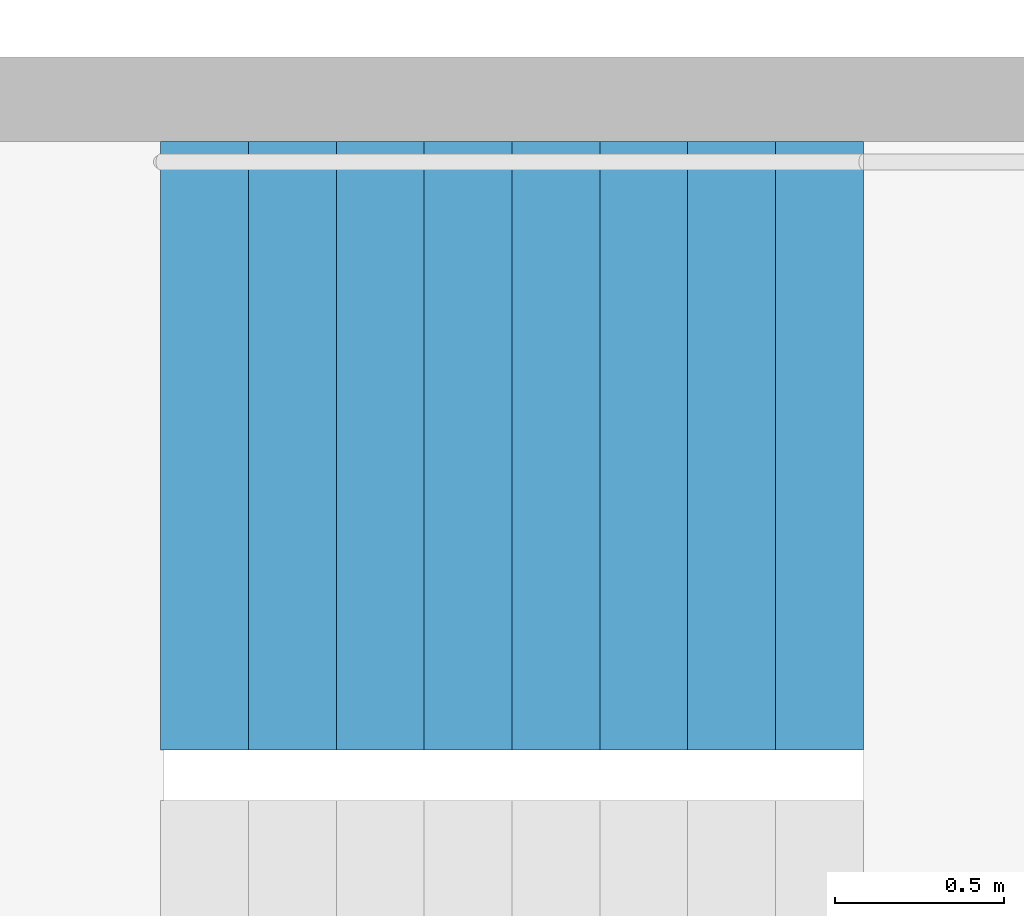
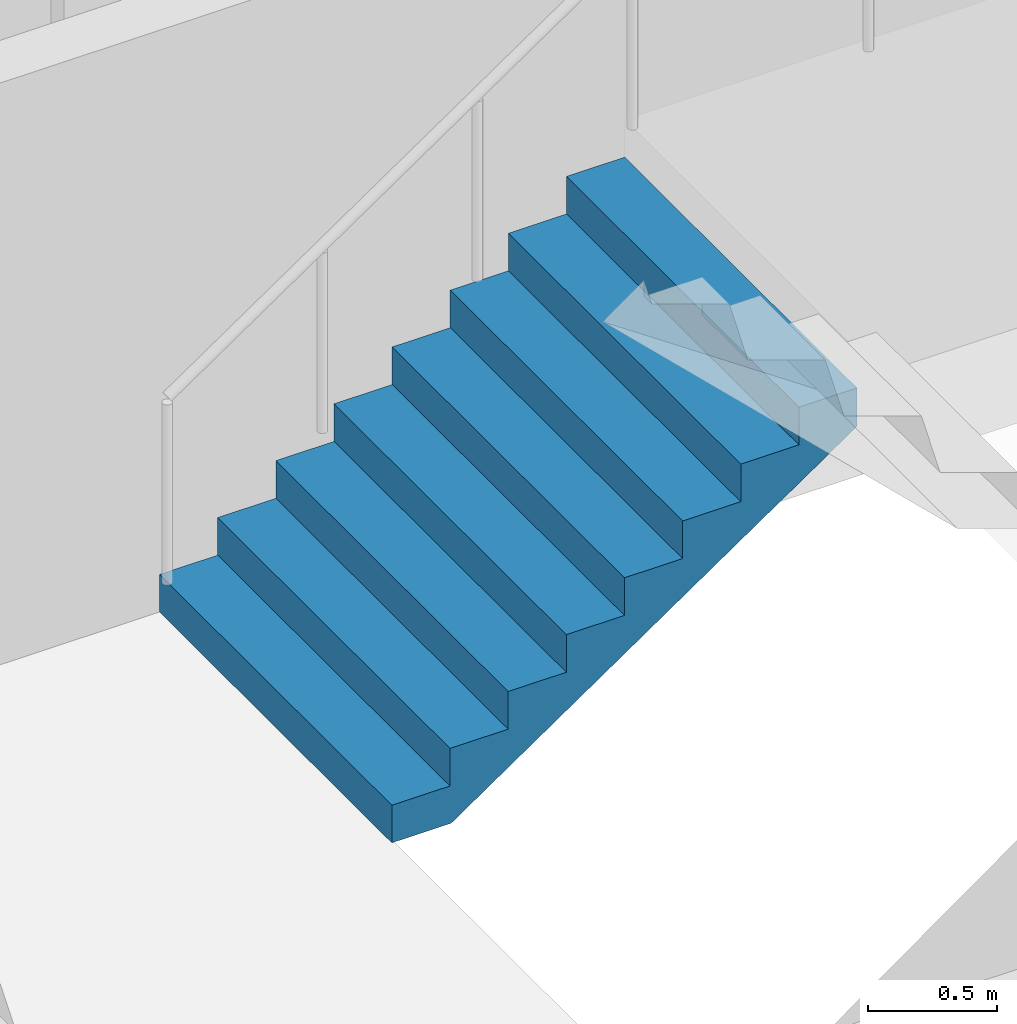
# One storey, part 22 of 25: 1 stair flight, 1 element without a shape of its own.
"""IFC4 building model written with IfcOpenShell, lengths in metres."""

import ifcopenshell
import ifcopenshell.guid

model = None  # the IFC model being written
_history = None  # IfcOwnerHistory: only IFC2X3 demands one
_inside = {}  # id of a spatial element -> (the spatial element, [elements in it])
_under = {}  # id of a project, library or spatial element -> (it, [spatial elements below it])
_declared = {}  # id of a project -> (the project, [libraries it declares])
_typed = {}  # id of a type object -> (the type object, [elements of that type])
_made_of = {}  # id of a material, layer set ... -> (it, [elements and type objects made of it])


def new_model(schema):
    """Start an empty IFC model of exactly this schema.

    Asked for "IFC4X3", IfcOpenShell would pick the latest addendum, in which some entities
    have other attributes; the version numbers below select the first issue.
    IFC2X3 requires an IfcOwnerHistory on every rooted entity: one is made here for all.
    """
    global model, _history
    if schema == "IFC4X3":
        model = ifcopenshell.file(schema_version=(4, 3, 0, 0))
    else:
        model = ifcopenshell.file(schema=schema)
    _inside.clear()
    _under.clear()
    _declared.clear()
    _typed.clear()
    _made_of.clear()
    _history = None
    if model.schema == "IFC2X3":
        org = make("IfcOrganization", Name="unknown")
        user = make(
            "IfcPersonAndOrganization",
            ThePerson=make("IfcPerson", FamilyName="unknown"),
            TheOrganization=org,
        )
        app = make(
            "IfcApplication",
            ApplicationDeveloper=org,
            Version="unknown",
            ApplicationFullName="unknown",
            ApplicationIdentifier="unknown",
        )
        _history = make(
            "IfcOwnerHistory",
            OwningUser=user,
            OwningApplication=app,
            ChangeAction="ADDED",
            CreationDate=0,
        )
    return model


def make(cls, **values):
    """One entity of the class cls with the attributes given. An attribute that is None is left unset."""
    return model.create_entity(
        cls, **{name: value for name, value in values.items() if value is not None}
    )


def rooted(cls, **values):
    """An entity with a GlobalId (a new one), such as an element, a storey or a relation."""
    return make(cls, GlobalId=ifcopenshell.guid.new(), OwnerHistory=_history, **values)


def si_unit(unit_type, name, prefix=None):
    """IfcSIUnit, for example si_unit("LENGTHUNIT", "METRE", prefix="MILLI")."""
    return make("IfcSIUnit", UnitType=unit_type, Prefix=prefix, Name=name)


def assignment(units):
    """IfcUnitAssignment: the units of a project."""
    return None if units is None else make("IfcUnitAssignment", Units=units)


def point(xyz):
    """IfcCartesianPoint."""
    return None if xyz is None else make("IfcCartesianPoint", Coordinates=xyz)


def direction(xyz):
    """IfcDirection."""
    return None if xyz is None else make("IfcDirection", DirectionRatios=xyz)


def frame(location, z_axis=None, x_axis=None):
    """IfcAxis2Placement3D, a coordinate frame: its origin and axes. An axis left out is left unset."""
    return make(
        "IfcAxis2Placement3D",
        Location=point(location),
        Axis=direction(z_axis),
        RefDirection=direction(x_axis),
    )


def origin():
    """The frame at (0, 0, 0) with its axes left unset."""
    return frame((0.0, 0.0, 0.0))


def place(relative_to, where):
    """IfcLocalPlacement: puts the frame where relative to a parent placement (None: the world)."""
    return make(
        "IfcLocalPlacement", PlacementRelTo=relative_to, RelativePlacement=where
    )


def context(
    kind, dimensions, precision=None, world=None, true_north=None, identifier=None
):
    """IfcGeometricRepresentationContext, for example the 3D "Model" context."""
    return make(
        "IfcGeometricRepresentationContext",
        ContextIdentifier=identifier,
        ContextType=kind,
        CoordinateSpaceDimension=dimensions,
        Precision=precision,
        WorldCoordinateSystem=world,
        TrueNorth=true_north,
    )


def subcontext(parent, identifier, kind, view, scale=None):
    """IfcGeometricRepresentationSubContext, for example "Body" below "Model"."""
    return make(
        "IfcGeometricRepresentationSubContext",
        ContextIdentifier=identifier,
        ContextType=kind,
        ParentContext=parent,
        TargetScale=scale,
        TargetView=view,
    )


def project(units=None, contexts=None):
    """IfcProject with its units and contexts."""
    return rooted(
        "IfcProject",
        Name="project",
        RepresentationContexts=contexts,
        UnitsInContext=assignment(units),
    )


def spatial(cls, under=None, at=None, **own):
    """A site, building, storey or space (cls), placed at a placement, below another one or the project."""
    s = rooted(cls, ObjectPlacement=at, **own)
    if under is not None:
        _under.setdefault(under.id(), (under, []))[1].append(s)
    return s


def point_list(points):
    """IfcCartesianPointList2D or 3D."""
    cls = (
        "IfcCartesianPointList2D" if len(points[0]) == 2 else "IfcCartesianPointList3D"
    )
    return make(cls, CoordList=points)


def triangles(points, corners, closed=None, point_numbers=None):
    """IfcTriangulatedFaceSet: each triangle names its three corners, points numbered from 1."""
    return make(
        "IfcTriangulatedFaceSet",
        Coordinates=point_list(points),
        Closed=closed,
        CoordIndex=corners,
        PnIndex=point_numbers,
    )


def shape(context_of_items, identifier, shape_type, items):
    """IfcShapeRepresentation: the items that make up one representation, for example the "Body"."""
    return make(
        "IfcShapeRepresentation",
        ContextOfItems=context_of_items,
        RepresentationIdentifier=identifier,
        RepresentationType=shape_type,
        Items=items,
    )


def material(Name=None, Category=None):
    """IfcMaterial."""
    return make("IfcMaterial", Name=Name, Category=Category)


def made_of(thing, what):
    """Note that an element or type object is made of a material, layer set ...; save() writes the relation."""
    if what is not None:
        _made_of.setdefault(what.id(), (what, []))[1].append(thing)
    return thing


def type_object(cls, material=None, **own):
    """A type object (cls), such as IfcWallType, which elements share."""
    return made_of(rooted(cls, **own), material)


def element(
    cls,
    number,
    at=None,
    inside=None,
    cuts=None,
    type_object=None,
    material=None,
    context=None,
    identifier="Body",
    shape_type=None,
    held_by="IfcProductDefinitionShape",
    body=None,
    shapes=None,
    **own,
):
    """One element of the class cls, such as IfcWall. Its Tag is "e" and its number.

    at: its placement. inside: the storey or other place that contains it. cuts: it is an
    opening in that element (IfcRelVoidsElement). A single representation is given by context,
    identifier, shape_type and body (its items); several are given by shapes. held_by: the class
    of the entity that holds the representations. save() writes the other relations.
    """
    e = rooted(cls, Tag="e%d" % number, ObjectPlacement=at, **own)
    if body is not None:
        shapes = [shape(context, identifier, shape_type, body)]
    if shapes is not None:
        e.Representation = make(held_by, Representations=shapes)
    if inside is not None:
        _inside.setdefault(inside.id(), (inside, []))[1].append(e)
    if cuts is not None:
        rooted(
            "IfcRelVoidsElement", RelatingBuildingElement=cuts, RelatedOpeningElement=e
        )
    if type_object is not None:
        _typed.setdefault(type_object.id(), (type_object, []))[1].append(e)
    return made_of(e, material)


def aggregate(whole, parts):
    """IfcRelAggregates: a whole, such as a stair, and the parts it consists of."""
    return rooted("IfcRelAggregates", RelatingObject=whole, RelatedObjects=parts)


def save(model, path):
    """Write the relations noted so far, then the file.

    IfcRelAggregates (storeys below a building ...), IfcRelContainedInSpatialStructure (elements
    in a storey), IfcRelDefinesByType, IfcRelAssociatesMaterial and IfcRelDeclares: one each for
    every whole, place, type object, material and project.
    """
    for whole, parts in _under.values():
        aggregate(whole, parts)
    for where, things in _inside.values():
        rooted(
            "IfcRelContainedInSpatialStructure",
            RelatedElements=things,
            RelatingStructure=where,
        )
    for kind, things in _typed.values():
        rooted("IfcRelDefinesByType", RelatedObjects=things, RelatingType=kind)
    for what, things in _made_of.values():
        rooted("IfcRelAssociatesMaterial", RelatedObjects=things, RelatingMaterial=what)
    for by, libraries in _declared.values():
        rooted("IfcRelDeclares", RelatingContext=by, RelatedDefinitions=libraries)
    model.write(path)


model = new_model("IFC4")

# Units and contexts
model_context = context("Model", 3, precision=1e-05, world=origin(), true_north=direction((0.0, 1.0)))
body_context = subcontext(model_context, "Body", "Model", "MODEL_VIEW")
ifc_project = project(units=[si_unit("LENGTHUNIT", "METRE"), si_unit("AREAUNIT", "SQUARE_METRE"), si_unit("VOLUMEUNIT", "CUBIC_METRE"), si_unit("PLANEANGLEUNIT", "RADIAN"), si_unit("MASSUNIT", "GRAM", prefix="KILO")], contexts=[model_context])

# Site, building, storey
site_placement = place(None, origin())
site = spatial("IfcSite", under=ifc_project, at=site_placement, CompositionType="ELEMENT")
building_placement = place(site_placement, origin())
building = spatial("IfcBuilding", under=site, at=building_placement, Name="Hakoniwa Tower and Hamabe Station Hall", CompositionType="ELEMENT")
storey_placement = place(building_placement, frame((0.0, 0.0, 186.60009765625)))
storey = spatial("IfcBuildingStorey", under=building, at=storey_placement, Name="L52", CompositionType="ELEMENT", Elevation=186.60009765625)

# Stair, stair flight
ifc_material_1 = material(Name="Concrete C40", Category="concrete")
stair_type = type_object("IfcStairType", Name="ESCAPE STAIR 1800", PredefinedType="HALF_TURN_STAIR", material=ifc_material_1)
stair_placement = place(storey_placement, origin())
stair = element("IfcStair", 1, at=stair_placement, inside=storey, type_object=stair_type, Name="Escape stair ST-4 L52", PredefinedType="HALF_TURN_STAIR")
ifc_material_2 = material(Name="Concrete C40", Category="concrete")
stair_flight_type = type_object("IfcStairFlightType", Name="STAIR FLIGHT 1800", PredefinedType="STRAIGHT", material=ifc_material_2)
stair_flight_placement = place(storey_placement, frame((23.39990234375, -4.64990234375, 0.0), z_axis=(0.0, 0.0, 1.0), x_axis=(1.0, 0.0, 0.0)))
stair_flight = element("IfcStairFlight", 2, at=stair_flight_placement, type_object=stair_flight_type, Name="ST-4 flight 1", NumberOfRisers=9, NumberOfTreads=8, PredefinedType="STRAIGHT", RiserHeight=0.177777778, TreadLength=0.26, context=body_context, shape_type="Tessellation", body=[
    triangles([(0.0, 0.89990234375, 0.0), (0.260009765625, 0.89990234375, 0.0), (0.265625, 0.89990234375, 0.0), (0.52001953125, 0.89990234375, 0.174072265625), (0.780029296875, 0.89990234375, 0.351806640625), (1.0400390625, 0.89990234375, 0.529541015625), (1.300048828125, 0.89990234375, 0.707275390625), (1.56005859375, 0.89990234375, 0.885009765625), (1.820068359375, 0.89990234375, 1.062744140625), (2.080078125, 0.89990234375, 1.24072265625), (2.080078125, 0.89990234375, 1.422119140625), (1.820068359375, 0.89990234375, 1.422119140625), (1.820068359375, 0.89990234375, 1.244384765625), (1.56005859375, 0.89990234375, 1.244384765625), (1.56005859375, 0.89990234375, 1.066650390625), (1.300048828125, 0.89990234375, 1.066650390625), (1.300048828125, 0.89990234375, 0.888916015625), (1.0400390625, 0.89990234375, 0.888916015625), (1.0400390625, 0.89990234375, 0.711181640625), (0.780029296875, 0.89990234375, 0.711181640625), (0.780029296875, 0.89990234375, 0.533447265625), (0.52001953125, 0.89990234375, 0.533447265625), (0.52001953125, 0.89990234375, 0.35546875), (0.265625, 0.89990234375, 0.35546875), (0.260009765625, 0.89990234375, 0.35546875), (0.260009765625, 0.89990234375, 0.177734375), (0.0, 0.89990234375, 0.177734375), (0.0, 0.06005859375, 0.0), (0.260009765625, 0.06005859375, 0.0), (0.265625, 0.06005859375, 0.0), (0.52001953125, 0.06005859375, 0.174072265625), (0.780029296875, 0.06005859375, 0.351806640625), (1.0400390625, 0.06005859375, 0.529541015625), (1.300048828125, 0.06005859375, 0.707275390625), (1.56005859375, 0.06005859375, 0.885009765625), (1.820068359375, 0.06005859375, 1.062744140625), (2.080078125, 0.06005859375, 1.24072265625), (2.080078125, 0.06005859375, 1.422119140625), (1.820068359375, 0.06005859375, 1.422119140625), (1.820068359375, 0.06005859375, 1.244384765625), (1.56005859375, 0.06005859375, 1.244384765625), (1.56005859375, 0.06005859375, 1.066650390625), (1.300048828125, 0.06005859375, 1.066650390625), (1.300048828125, 0.06005859375, 0.888916015625), (1.0400390625, 0.06005859375, 0.888916015625), (1.0400390625, 0.06005859375, 0.711181640625), (0.780029296875, 0.06005859375, 0.711181640625), (0.780029296875, 0.06005859375, 0.533447265625), (0.52001953125, 0.06005859375, 0.533447265625), (0.52001953125, 0.06005859375, 0.35546875), (0.265625, 0.06005859375, 0.35546875), (0.260009765625, 0.06005859375, 0.35546875), (0.260009765625, 0.06005859375, 0.177734375), (0.0, 0.06005859375, 0.177734375), (0.0, 0.04296875, 0.0), (0.260009765625, 0.04296875, 0.0), (0.265625, 0.04296875, 0.0), (0.52001953125, 0.04296875, 0.174072265625), (0.780029296875, 0.04296875, 0.351806640625), (1.0400390625, 0.04296875, 0.529541015625), (1.300048828125, 0.04296875, 0.707275390625), (1.56005859375, 0.04296875, 0.885009765625), (1.820068359375, 0.04296875, 1.062744140625), (2.080078125, 0.04296875, 1.24072265625), (2.080078125, 0.04296875, 1.422119140625), (1.820068359375, 0.04296875, 1.422119140625), (1.820068359375, 0.04296875, 1.244384765625), (1.56005859375, 0.04296875, 1.244384765625), (1.56005859375, 0.04296875, 1.066650390625), (1.300048828125, 0.04296875, 1.066650390625), (1.300048828125, 0.04296875, 0.888916015625), (1.0400390625, 0.04296875, 0.888916015625), (1.0400390625, 0.04296875, 0.711181640625), (0.780029296875, 0.04296875, 0.711181640625), (0.780029296875, 0.04296875, 0.533447265625), (0.52001953125, 0.04296875, 0.533447265625), (0.52001953125, 0.04296875, 0.35546875), (0.265625, 0.04296875, 0.35546875), (0.260009765625, 0.04296875, 0.35546875), (0.260009765625, 0.04296875, 0.177734375), (0.0, 0.04296875, 0.177734375), (0.0, 0.025634765625, 0.0), (0.260009765625, 0.025634765625, 0.0), (0.265625, 0.025634765625, 0.0), (0.52001953125, 0.025634765625, 0.174072265625), (0.780029296875, 0.025634765625, 0.351806640625), (1.0400390625, 0.025634765625, 0.529541015625), (1.300048828125, 0.025634765625, 0.707275390625), (1.56005859375, 0.025634765625, 0.885009765625), (1.820068359375, 0.025634765625, 1.062744140625), (2.080078125, 0.025634765625, 1.24072265625), (2.080078125, 0.025634765625, 1.422119140625), (1.820068359375, 0.025634765625, 1.422119140625), (1.820068359375, 0.025634765625, 1.244384765625), (1.56005859375, 0.025634765625, 1.244384765625), (1.56005859375, 0.025634765625, 1.066650390625), (1.300048828125, 0.025634765625, 1.066650390625), (1.300048828125, 0.025634765625, 0.888916015625), (1.0400390625, 0.025634765625, 0.888916015625), (1.0400390625, 0.025634765625, 0.711181640625), (0.780029296875, 0.025634765625, 0.711181640625), (0.780029296875, 0.025634765625, 0.533447265625), (0.52001953125, 0.025634765625, 0.533447265625), (0.52001953125, 0.025634765625, 0.35546875), (0.265625, 0.025634765625, 0.35546875), (0.260009765625, 0.025634765625, 0.35546875), (0.260009765625, 0.025634765625, 0.177734375), (0.0, 0.025634765625, 0.177734375), (0.0, 0.008544921875, 0.0), (0.260009765625, 0.008544921875, 0.0), (0.265625, 0.008544921875, 0.0), (0.52001953125, 0.008544921875, 0.174072265625), (0.780029296875, 0.008544921875, 0.351806640625), (1.0400390625, 0.008544921875, 0.529541015625), (1.300048828125, 0.008544921875, 0.707275390625), (1.56005859375, 0.008544921875, 0.885009765625), (1.820068359375, 0.008544921875, 1.062744140625), (2.080078125, 0.008544921875, 1.24072265625), (2.080078125, 0.008544921875, 1.422119140625), (1.820068359375, 0.008544921875, 1.422119140625), (1.820068359375, 0.008544921875, 1.244384765625), (1.56005859375, 0.008544921875, 1.244384765625), (1.56005859375, 0.008544921875, 1.066650390625), (1.300048828125, 0.008544921875, 1.066650390625), (1.300048828125, 0.008544921875, 0.888916015625), (1.0400390625, 0.008544921875, 0.888916015625), (1.0400390625, 0.008544921875, 0.711181640625), (0.780029296875, 0.008544921875, 0.711181640625), (0.780029296875, 0.008544921875, 0.533447265625), (0.52001953125, 0.008544921875, 0.533447265625), (0.52001953125, 0.008544921875, 0.35546875), (0.265625, 0.008544921875, 0.35546875), (0.260009765625, 0.008544921875, 0.35546875), (0.260009765625, 0.008544921875, 0.177734375), (0.0, 0.008544921875, 0.177734375), (0.0, -0.008544921875, 0.0), (0.260009765625, -0.008544921875, 0.0), (0.265625, -0.008544921875, 0.0), (0.52001953125, -0.008544921875, 0.174072265625), (0.780029296875, -0.008544921875, 0.351806640625), (1.0400390625, -0.008544921875, 0.529541015625), (1.300048828125, -0.008544921875, 0.707275390625), (1.56005859375, -0.008544921875, 0.885009765625), (1.820068359375, -0.008544921875, 1.062744140625), (2.080078125, -0.008544921875, 1.24072265625), (2.080078125, -0.008544921875, 1.422119140625), (1.820068359375, -0.008544921875, 1.422119140625), (1.820068359375, -0.008544921875, 1.244384765625), (1.56005859375, -0.008544921875, 1.244384765625), (1.56005859375, -0.008544921875, 1.066650390625), (1.300048828125, -0.008544921875, 1.066650390625), (1.300048828125, -0.008544921875, 0.888916015625), (1.0400390625, -0.008544921875, 0.888916015625), (1.0400390625, -0.008544921875, 0.711181640625), (0.780029296875, -0.008544921875, 0.711181640625), (0.780029296875, -0.008544921875, 0.533447265625), (0.52001953125, -0.008544921875, 0.533447265625), (0.52001953125, -0.008544921875, 0.35546875), (0.265625, -0.008544921875, 0.35546875), (0.260009765625, -0.008544921875, 0.35546875), (0.260009765625, -0.008544921875, 0.177734375), (0.0, -0.008544921875, 0.177734375), (0.0, -0.025634765625, 0.0), (0.260009765625, -0.025634765625, 0.0), (0.265625, -0.025634765625, 0.0), (0.52001953125, -0.025634765625, 0.174072265625), (0.780029296875, -0.025634765625, 0.351806640625), (1.0400390625, -0.025634765625, 0.529541015625), (1.300048828125, -0.025634765625, 0.707275390625), (1.56005859375, -0.025634765625, 0.885009765625), (1.820068359375, -0.025634765625, 1.062744140625), (2.080078125, -0.025634765625, 1.24072265625), (2.080078125, -0.025634765625, 1.422119140625), (1.820068359375, -0.025634765625, 1.422119140625), (1.820068359375, -0.025634765625, 1.244384765625), (1.56005859375, -0.025634765625, 1.244384765625), (1.56005859375, -0.025634765625, 1.066650390625), (1.300048828125, -0.025634765625, 1.066650390625), (1.300048828125, -0.025634765625, 0.888916015625), (1.0400390625, -0.025634765625, 0.888916015625), (1.0400390625, -0.025634765625, 0.711181640625), (0.780029296875, -0.025634765625, 0.711181640625), (0.780029296875, -0.025634765625, 0.533447265625), (0.52001953125, -0.025634765625, 0.533447265625), (0.52001953125, -0.025634765625, 0.35546875), (0.265625, -0.025634765625, 0.35546875), (0.260009765625, -0.025634765625, 0.35546875), (0.260009765625, -0.025634765625, 0.177734375), (0.0, -0.025634765625, 0.177734375), (0.0, -0.04296875, 0.0), (0.260009765625, -0.04296875, 0.0), (0.265625, -0.04296875, 0.0), (0.52001953125, -0.04296875, 0.174072265625), (0.780029296875, -0.04296875, 0.351806640625), (1.0400390625, -0.04296875, 0.529541015625), (1.300048828125, -0.04296875, 0.707275390625), (1.56005859375, -0.04296875, 0.885009765625), (1.820068359375, -0.04296875, 1.062744140625), (2.080078125, -0.04296875, 1.24072265625), (2.080078125, -0.04296875, 1.422119140625), (1.820068359375, -0.04296875, 1.422119140625), (1.820068359375, -0.04296875, 1.244384765625), (1.56005859375, -0.04296875, 1.244384765625), (1.56005859375, -0.04296875, 1.066650390625), (1.300048828125, -0.04296875, 1.066650390625), (1.300048828125, -0.04296875, 0.888916015625), (1.0400390625, -0.04296875, 0.888916015625), (1.0400390625, -0.04296875, 0.711181640625), (0.780029296875, -0.04296875, 0.711181640625), (0.780029296875, -0.04296875, 0.533447265625), (0.52001953125, -0.04296875, 0.533447265625), (0.52001953125, -0.04296875, 0.35546875), (0.265625, -0.04296875, 0.35546875), (0.260009765625, -0.04296875, 0.35546875), (0.260009765625, -0.04296875, 0.177734375), (0.0, -0.04296875, 0.177734375), (0.0, -0.06005859375, 0.0), (0.260009765625, -0.06005859375, 0.0), (0.265625, -0.06005859375, 0.0), (0.52001953125, -0.06005859375, 0.174072265625), (0.780029296875, -0.06005859375, 0.351806640625), (1.0400390625, -0.06005859375, 0.529541015625), (1.300048828125, -0.06005859375, 0.707275390625), (1.56005859375, -0.06005859375, 0.885009765625), (1.820068359375, -0.06005859375, 1.062744140625), (2.080078125, -0.06005859375, 1.24072265625), (2.080078125, -0.06005859375, 1.422119140625), (1.820068359375, -0.06005859375, 1.422119140625), (1.820068359375, -0.06005859375, 1.244384765625), (1.56005859375, -0.06005859375, 1.244384765625), (1.56005859375, -0.06005859375, 1.066650390625), (1.300048828125, -0.06005859375, 1.066650390625), (1.300048828125, -0.06005859375, 0.888916015625), (1.0400390625, -0.06005859375, 0.888916015625), (1.0400390625, -0.06005859375, 0.711181640625), (0.780029296875, -0.06005859375, 0.711181640625), (0.780029296875, -0.06005859375, 0.533447265625), (0.52001953125, -0.06005859375, 0.533447265625), (0.52001953125, -0.06005859375, 0.35546875), (0.265625, -0.06005859375, 0.35546875), (0.260009765625, -0.06005859375, 0.35546875), (0.260009765625, -0.06005859375, 0.177734375), (0.0, -0.06005859375, 0.177734375), (0.0, -0.89990234375, 0.0), (0.260009765625, -0.89990234375, 0.0), (0.265625, -0.89990234375, 0.0), (0.52001953125, -0.89990234375, 0.174072265625), (0.780029296875, -0.89990234375, 0.351806640625), (1.0400390625, -0.89990234375, 0.529541015625), (1.300048828125, -0.89990234375, 0.707275390625), (1.56005859375, -0.89990234375, 0.885009765625), (1.820068359375, -0.89990234375, 1.062744140625), (2.080078125, -0.89990234375, 1.24072265625), (2.080078125, -0.89990234375, 1.422119140625), (1.820068359375, -0.89990234375, 1.422119140625), (1.820068359375, -0.89990234375, 1.244384765625), (1.56005859375, -0.89990234375, 1.244384765625), (1.56005859375, -0.89990234375, 1.066650390625), (1.300048828125, -0.89990234375, 1.066650390625), (1.300048828125, -0.89990234375, 0.888916015625), (1.0400390625, -0.89990234375, 0.888916015625), (1.0400390625, -0.89990234375, 0.711181640625), (0.780029296875, -0.89990234375, 0.711181640625), (0.780029296875, -0.89990234375, 0.533447265625), (0.52001953125, -0.89990234375, 0.533447265625), (0.52001953125, -0.89990234375, 0.35546875), (0.265625, -0.89990234375, 0.35546875), (0.260009765625, -0.89990234375, 0.35546875), (0.260009765625, -0.89990234375, 0.177734375), (0.0, -0.89990234375, 0.177734375)], [[2, 27, 26], [245, 269, 270], [2, 1, 27], [245, 270, 244], [3, 25, 24], [246, 267, 268], [3, 26, 25], [246, 268, 269], [3, 2, 26], [246, 269, 245], [4, 24, 23], [247, 266, 267], [4, 3, 24], [247, 267, 246], [5, 22, 21], [248, 264, 265], [5, 23, 22], [248, 265, 266], [5, 4, 23], [248, 266, 247], [6, 20, 19], [249, 262, 263], [6, 21, 20], [249, 263, 264], [6, 5, 21], [249, 264, 248], [7, 18, 17], [250, 260, 261], [7, 19, 18], [250, 261, 262], [7, 6, 19], [250, 262, 249], [8, 16, 15], [251, 258, 259], [8, 17, 16], [251, 259, 260], [8, 7, 17], [251, 260, 250], [9, 14, 13], [252, 256, 257], [9, 15, 14], [252, 257, 258], [9, 8, 15], [252, 258, 251], [10, 12, 11], [253, 254, 255], [10, 13, 12], [253, 255, 256], [10, 9, 13], [253, 256, 252], [1, 2, 29], [1, 29, 28], [28, 29, 56], [28, 56, 55], [55, 56, 83], [55, 83, 82], [82, 83, 110], [82, 110, 109], [109, 110, 137], [109, 137, 136], [136, 137, 164], [136, 164, 163], [163, 164, 191], [163, 191, 190], [190, 191, 218], [190, 218, 217], [217, 218, 245], [217, 245, 244], [2, 3, 30], [2, 30, 29], [29, 30, 57], [29, 57, 56], [56, 57, 84], [56, 84, 83], [83, 84, 111], [83, 111, 110], [110, 111, 138], [110, 138, 137], [137, 138, 165], [137, 165, 164], [164, 165, 192], [164, 192, 191], [191, 192, 219], [191, 219, 218], [218, 219, 246], [218, 246, 245], [3, 4, 31], [3, 31, 30], [30, 31, 58], [30, 58, 57], [57, 58, 85], [57, 85, 84], [84, 85, 112], [84, 112, 111], [111, 112, 139], [111, 139, 138], [138, 139, 166], [138, 166, 165], [165, 166, 193], [165, 193, 192], [192, 193, 220], [192, 220, 219], [219, 220, 247], [219, 247, 246], [4, 5, 32], [4, 32, 31], [31, 32, 59], [31, 59, 58], [58, 59, 86], [58, 86, 85], [85, 86, 113], [85, 113, 112], [112, 113, 140], [112, 140, 139], [139, 140, 167], [139, 167, 166], [166, 167, 194], [166, 194, 193], [193, 194, 221], [193, 221, 220], [220, 221, 248], [220, 248, 247], [5, 6, 33], [5, 33, 32], [32, 33, 60], [32, 60, 59], [59, 60, 87], [59, 87, 86], [86, 87, 114], [86, 114, 113], [113, 114, 141], [113, 141, 140], [140, 141, 168], [140, 168, 167], [167, 168, 195], [167, 195, 194], [194, 195, 222], [194, 222, 221], [221, 222, 249], [221, 249, 248], [6, 7, 34], [6, 34, 33], [33, 34, 61], [33, 61, 60], [60, 61, 88], [60, 88, 87], [87, 88, 115], [87, 115, 114], [114, 115, 142], [114, 142, 141], [141, 142, 169], [141, 169, 168], [168, 169, 196], [168, 196, 195], [195, 196, 223], [195, 223, 222], [222, 223, 250], [222, 250, 249], [7, 8, 35], [7, 35, 34], [34, 35, 62], [34, 62, 61], [61, 62, 89], [61, 89, 88], [88, 89, 116], [88, 116, 115], [115, 116, 143], [115, 143, 142], [142, 143, 170], [142, 170, 169], [169, 170, 197], [169, 197, 196], [196, 197, 224], [196, 224, 223], [223, 224, 251], [223, 251, 250], [8, 9, 36], [8, 36, 35], [35, 36, 63], [35, 63, 62], [62, 63, 90], [62, 90, 89], [89, 90, 117], [89, 117, 116], [116, 117, 144], [116, 144, 143], [143, 144, 171], [143, 171, 170], [170, 171, 198], [170, 198, 197], [197, 198, 225], [197, 225, 224], [224, 225, 252], [224, 252, 251], [9, 10, 37], [9, 37, 36], [36, 37, 64], [36, 64, 63], [63, 64, 91], [63, 91, 90], [90, 91, 118], [90, 118, 117], [117, 118, 145], [117, 145, 144], [144, 145, 172], [144, 172, 171], [171, 172, 199], [171, 199, 198], [198, 199, 226], [198, 226, 225], [225, 226, 253], [225, 253, 252], [10, 11, 38], [10, 38, 37], [37, 38, 65], [37, 65, 64], [64, 65, 92], [64, 92, 91], [91, 92, 119], [91, 119, 118], [118, 119, 146], [118, 146, 145], [145, 146, 173], [145, 173, 172], [172, 173, 200], [172, 200, 199], [199, 200, 227], [199, 227, 226], [226, 227, 254], [226, 254, 253], [11, 12, 39], [11, 39, 38], [38, 39, 66], [38, 66, 65], [65, 66, 93], [65, 93, 92], [92, 93, 120], [92, 120, 119], [119, 120, 147], [119, 147, 146], [146, 147, 174], [146, 174, 173], [173, 174, 201], [173, 201, 200], [200, 201, 228], [200, 228, 227], [227, 228, 255], [227, 255, 254], [12, 13, 40], [12, 40, 39], [39, 40, 67], [39, 67, 66], [66, 67, 94], [66, 94, 93], [93, 94, 121], [93, 121, 120], [120, 121, 148], [120, 148, 147], [147, 148, 175], [147, 175, 174], [174, 175, 202], [174, 202, 201], [201, 202, 229], [201, 229, 228], [228, 229, 256], [228, 256, 255], [13, 14, 41], [13, 41, 40], [40, 41, 68], [40, 68, 67], [67, 68, 95], [67, 95, 94], [94, 95, 122], [94, 122, 121], [121, 122, 149], [121, 149, 148], [148, 149, 176], [148, 176, 175], [175, 176, 203], [175, 203, 202], [202, 203, 230], [202, 230, 229], [229, 230, 257], [229, 257, 256], [14, 15, 42], [14, 42, 41], [41, 42, 69], [41, 69, 68], [68, 69, 96], [68, 96, 95], [95, 96, 123], [95, 123, 122], [122, 123, 150], [122, 150, 149], [149, 150, 177], [149, 177, 176], [176, 177, 204], [176, 204, 203], [203, 204, 231], [203, 231, 230], [230, 231, 258], [230, 258, 257], [15, 16, 43], [15, 43, 42], [42, 43, 70], [42, 70, 69], [69, 70, 97], [69, 97, 96], [96, 97, 124], [96, 124, 123], [123, 124, 151], [123, 151, 150], [150, 151, 178], [150, 178, 177], [177, 178, 205], [177, 205, 204], [204, 205, 232], [204, 232, 231], [231, 232, 259], [231, 259, 258], [16, 17, 44], [16, 44, 43], [43, 44, 71], [43, 71, 70], [70, 71, 98], [70, 98, 97], [97, 98, 125], [97, 125, 124], [124, 125, 152], [124, 152, 151], [151, 152, 179], [151, 179, 178], [178, 179, 206], [178, 206, 205], [205, 206, 233], [205, 233, 232], [232, 233, 260], [232, 260, 259], [17, 18, 45], [17, 45, 44], [44, 45, 72], [44, 72, 71], [71, 72, 99], [71, 99, 98], [98, 99, 126], [98, 126, 125], [125, 126, 153], [125, 153, 152], [152, 153, 180], [152, 180, 179], [179, 180, 207], [179, 207, 206], [206, 207, 234], [206, 234, 233], [233, 234, 261], [233, 261, 260], [18, 19, 46], [18, 46, 45], [45, 46, 73], [45, 73, 72], [72, 73, 100], [72, 100, 99], [99, 100, 127], [99, 127, 126], [126, 127, 154], [126, 154, 153], [153, 154, 181], [153, 181, 180], [180, 181, 208], [180, 208, 207], [207, 208, 235], [207, 235, 234], [234, 235, 262], [234, 262, 261], [19, 20, 47], [19, 47, 46], [46, 47, 74], [46, 74, 73], [73, 74, 101], [73, 101, 100], [100, 101, 128], [100, 128, 127], [127, 128, 155], [127, 155, 154], [154, 155, 182], [154, 182, 181], [181, 182, 209], [181, 209, 208], [208, 209, 236], [208, 236, 235], [235, 236, 263], [235, 263, 262], [20, 21, 48], [20, 48, 47], [47, 48, 75], [47, 75, 74], [74, 75, 102], [74, 102, 101], [101, 102, 129], [101, 129, 128], [128, 129, 156], [128, 156, 155], [155, 156, 183], [155, 183, 182], [182, 183, 210], [182, 210, 209], [209, 210, 237], [209, 237, 236], [236, 237, 264], [236, 264, 263], [21, 22, 49], [21, 49, 48], [48, 49, 76], [48, 76, 75], [75, 76, 103], [75, 103, 102], [102, 103, 130], [102, 130, 129], [129, 130, 157], [129, 157, 156], [156, 157, 184], [156, 184, 183], [183, 184, 211], [183, 211, 210], [210, 211, 238], [210, 238, 237], [237, 238, 265], [237, 265, 264], [22, 23, 50], [22, 50, 49], [49, 50, 77], [49, 77, 76], [76, 77, 104], [76, 104, 103], [103, 104, 131], [103, 131, 130], [130, 131, 158], [130, 158, 157], [157, 158, 185], [157, 185, 184], [184, 185, 212], [184, 212, 211], [211, 212, 239], [211, 239, 238], [238, 239, 266], [238, 266, 265], [23, 24, 51], [23, 51, 50], [50, 51, 78], [50, 78, 77], [77, 78, 105], [77, 105, 104], [104, 105, 132], [104, 132, 131], [131, 132, 159], [131, 159, 158], [158, 159, 186], [158, 186, 185], [185, 186, 213], [185, 213, 212], [212, 213, 240], [212, 240, 239], [239, 240, 267], [239, 267, 266], [24, 25, 52], [24, 52, 51], [51, 52, 79], [51, 79, 78], [78, 79, 106], [78, 106, 105], [105, 106, 133], [105, 133, 132], [132, 133, 160], [132, 160, 159], [159, 160, 187], [159, 187, 186], [186, 187, 214], [186, 214, 213], [213, 214, 241], [213, 241, 240], [240, 241, 268], [240, 268, 267], [25, 26, 53], [25, 53, 52], [52, 53, 80], [52, 80, 79], [79, 80, 107], [79, 107, 106], [106, 107, 134], [106, 134, 133], [133, 134, 161], [133, 161, 160], [160, 161, 188], [160, 188, 187], [187, 188, 215], [187, 215, 214], [214, 215, 242], [214, 242, 241], [241, 242, 269], [241, 269, 268], [26, 27, 54], [26, 54, 53], [53, 54, 81], [53, 81, 80], [80, 81, 108], [80, 108, 107], [107, 108, 135], [107, 135, 134], [134, 135, 162], [134, 162, 161], [161, 162, 189], [161, 189, 188], [188, 189, 216], [188, 216, 215], [215, 216, 243], [215, 243, 242], [242, 243, 270], [242, 270, 269], [27, 1, 28], [27, 28, 54], [54, 28, 55], [54, 55, 81], [81, 55, 82], [81, 82, 108], [108, 82, 109], [108, 109, 135], [135, 109, 136], [135, 136, 162], [162, 136, 163], [162, 163, 189], [189, 163, 190], [189, 190, 216], [216, 190, 217], [216, 217, 243], [243, 217, 244], [243, 244, 270]], closed=True),
])
aggregate(stair, [stair_flight])

save(model, "model.ifc")
